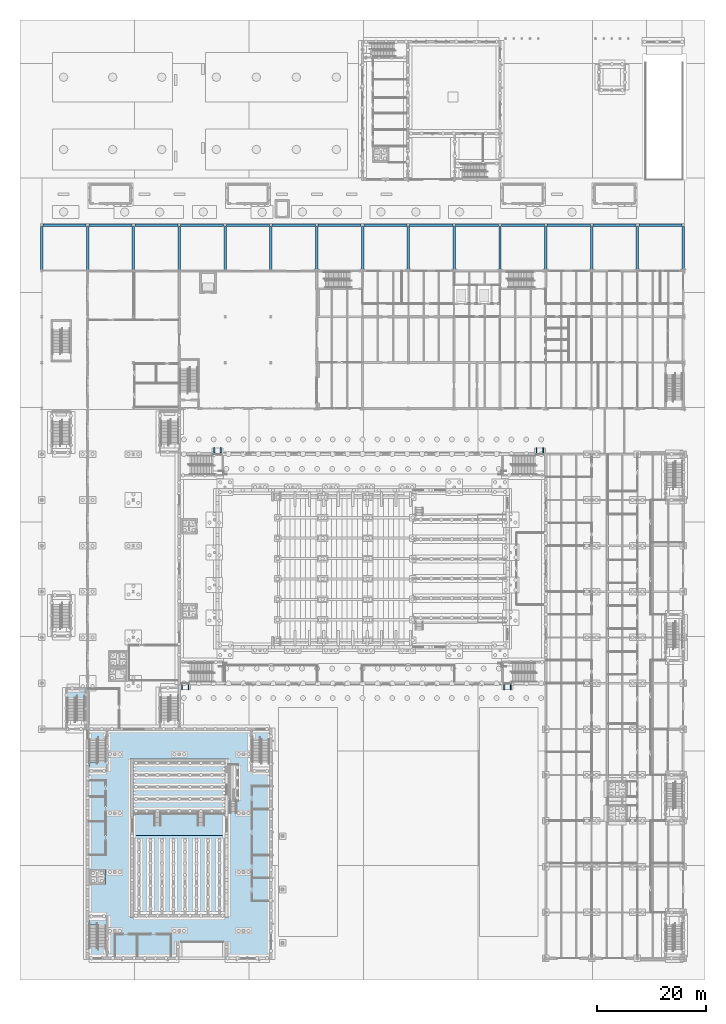
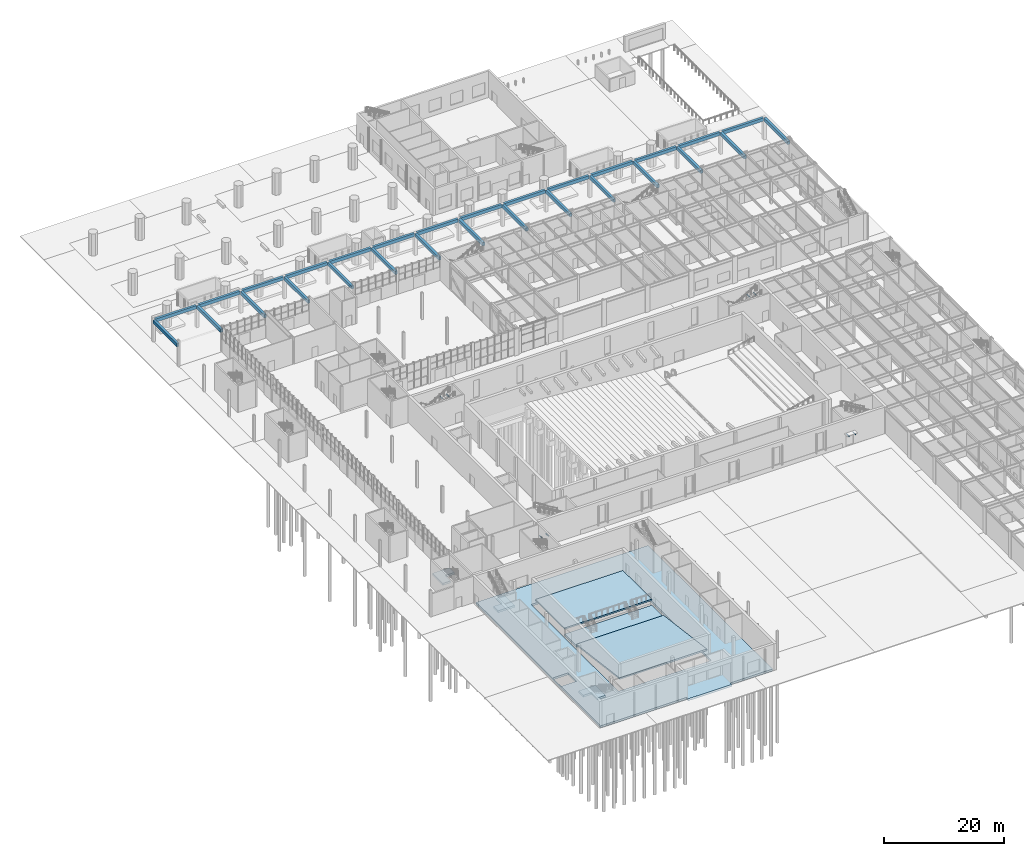
# One storey, part 46 of 127: 37 beams, 7 slabs, 3 elements without a shape of their own.
"""IFC4 building model written with IfcOpenShell, lengths in metres."""

from ifc_helpers import new_model, si_unit, direction, frame, origin, origin_2d, place, context, subcontext, project, spatial, polyline, rectangle, hollow_rectangle, outline, extrude, material, layer, layer_set, material_profile, profile_set, type_object, element, aggregate, save


model = new_model("IFC4")

# Units and contexts
model_context = context("Model", 3, precision=1e-05, world=origin(), true_north=direction((0.0, 1.0)))
body_context = subcontext(model_context, "Body", "Model", "MODEL_VIEW")
ifc_project = project(units=[si_unit("LENGTHUNIT", "METRE"), si_unit("AREAUNIT", "SQUARE_METRE"), si_unit("VOLUMEUNIT", "CUBIC_METRE"), si_unit("PLANEANGLEUNIT", "RADIAN"), si_unit("MASSUNIT", "GRAM", prefix="KILO")], contexts=[model_context])

# Site, building, storey
site_placement = place(None, origin())
site = spatial("IfcSite", under=ifc_project, at=site_placement, CompositionType="ELEMENT")
building_placement = place(site_placement, origin())
building = spatial("IfcBuilding", under=site, at=building_placement, Name="Ljudholm Concert House", CompositionType="ELEMENT")
storey_placement = place(building_placement, origin())
storey = spatial("IfcBuildingStorey", under=building, at=storey_placement, Name="L00", CompositionType="ELEMENT", Elevation=0.0)

# Beams
ifc_material_1 = material(Name="Concrete 6,500 psi", Category="concrete")
ifc_material_profile_1 = material_profile(ifc_material_1, rectangle(XDim=0.449951171875, YDim=0.64990234375, at=origin_2d()), Name="RC BEAM 450x650 BEAM")
ifc_profile_set_1 = profile_set([ifc_material_profile_1], Name="Concrete 6,500 psi")
beam_type_1 = type_object("IfcBeamType", Name="RC BEAM 450x650 BEAM", PredefinedType="BEAM", material=ifc_profile_set_1)
for number, where, z_axis, x_axis, name in (
    (1, (4.0, 138.14990234375, 4.175048828125), (0.0, -1.0, 0.0), (1.0, 0.0, 0.0), "Arcade cross beam"),
    (2, (12.39990234375, 138.14990234375, 4.175048828125), (0.0, -1.0, 0.0), (1.0, 0.0, 0.0), "Arcade cross beam"),
    (3, (20.800048828125, 138.14990234375, 4.175048828125), (0.0, -1.0, 0.0), (1.0, 0.0, 0.0), "Arcade cross beam"),
    (4, (29.199951171875, 138.14990234375, 4.175048828125), (0.0, -1.0, 0.0), (1.0, 0.0, 0.0), "Arcade cross beam"),
    (5, (37.60009765625, 138.14990234375, 4.175048828125), (0.0, -1.0, 0.0), (1.0, 0.0, 0.0), "Arcade cross beam"),
    (6, (46.0, 138.14990234375, 4.175048828125), (0.0, -1.0, 0.0), (1.0, 0.0, 0.0), "Arcade cross beam"),
):
    element("IfcBeam", number, at=place(storey_placement, frame(where, z_axis=z_axis, x_axis=x_axis)), inside=storey, type_object=beam_type_1, Name=name, PredefinedType="BEAM", context=body_context, shape_type="SweptSolid", body=[
        extrude(rectangle(XDim=0.449951171875, YDim=0.64990234375, at=origin_2d()), origin(), (0.0, 0.0, 1.0), 7.963134765625),
    ])
for number, where, z_axis, x_axis, name in (
    (7, (54.39990234375, 138.14990234375, 4.175048828125), (0.0, -1.0, 0.0), (1.0, 0.0, 0.0), "Arcade cross beam"),
    (8, (62.800048828125, 138.14990234375, 4.175048828125), (0.0, -1.0, 0.0), (1.0, 0.0, 0.0), "Arcade cross beam"),
):
    element("IfcBeam", number, at=place(storey_placement, frame(where, z_axis=z_axis, x_axis=x_axis)), inside=storey, type_object=beam_type_1, Name=name, PredefinedType="BEAM", context=body_context, shape_type="SweptSolid", body=[
        extrude(rectangle(XDim=0.449951171875, YDim=0.64990234375, at=origin_2d()), origin(), (0.0, 0.0, 1.0), 8.0),
    ])
for number, where, z_axis, x_axis, name in (
    (9, (71.199951171875, 138.14990234375, 4.175048828125), (0.0, -1.0, 0.0), (1.0, 0.0, 0.0), "Arcade cross beam"),
    (10, (79.60009765625, 138.14990234375, 4.175048828125), (0.0, -1.0, 0.0), (1.0, 0.0, 0.0), "Arcade cross beam"),
):
    element("IfcBeam", number, at=place(storey_placement, frame(where, z_axis=z_axis, x_axis=x_axis)), inside=storey, type_object=beam_type_1, Name=name, PredefinedType="BEAM", context=body_context, shape_type="SweptSolid", body=[
        extrude(rectangle(XDim=0.449951171875, YDim=0.64990234375, at=origin_2d()), origin(), (0.0, 0.0, 1.0), 7.963134765625),
    ])
for number, where, z_axis, x_axis, name in (
    (11, (88.0, 138.14990234375, 4.175048828125), (0.0, -1.0, 0.0), (1.0, 0.0, 0.0), "Arcade cross beam"),
    (12, (96.39990234375, 138.14990234375, 4.175048828125), (0.0, -1.0, 0.0), (1.0, 0.0, 0.0), "Arcade cross beam"),
):
    element("IfcBeam", number, at=place(storey_placement, frame(where, z_axis=z_axis, x_axis=x_axis)), inside=storey, type_object=beam_type_1, Name=name, PredefinedType="BEAM", context=body_context, shape_type="SweptSolid", body=[
        extrude(rectangle(XDim=0.449951171875, YDim=0.64990234375, at=origin_2d()), origin(), (0.0, 0.0, 1.0), 8.0),
    ])
for number, where, z_axis, x_axis, name in (
    (13, (104.800048828125, 138.14990234375, 4.175048828125), (0.0, -1.0, 0.0), (1.0, 0.0, 0.0), "Arcade cross beam"),
    (14, (113.199951171875, 138.14990234375, 4.175048828125), (0.0, -1.0, 0.0), (1.0, 0.0, 0.0), "Arcade cross beam"),
    (15, (121.60009765625, 138.14990234375, 4.175048828125), (0.0, -1.0, 0.0), (1.0, 0.0, 0.0), "Arcade cross beam"),
):
    element("IfcBeam", number, at=place(storey_placement, frame(where, z_axis=z_axis, x_axis=x_axis)), inside=storey, type_object=beam_type_1, Name=name, PredefinedType="BEAM", context=body_context, shape_type="SweptSolid", body=[
        extrude(rectangle(XDim=0.449951171875, YDim=0.64990234375, at=origin_2d()), origin(), (0.0, 0.0, 1.0), 7.963134765625),
    ])
beam_1_placement = place(storey_placement, frame((4.25, 138.39990234375, 4.175048828125), z_axis=(1.0, 0.0, 0.0), x_axis=(0.0, 1.0, 0.0)))
element("IfcBeam", 16, at=beam_1_placement, inside=storey, type_object=beam_type_1, Name="Arcade edge beam", PredefinedType="BEAM", context=body_context, shape_type="SweptSolid", body=[
    extrude(rectangle(XDim=0.449951171875, YDim=0.64990234375, at=origin_2d()), origin(), (0.0, 0.0, 1.0), 7.89990234375),
])
beam_2_placement = place(storey_placement, frame((12.64990234375, 138.39990234375, 4.175048828125), z_axis=(1.0, 0.0, 0.0), x_axis=(0.0, 1.0, 0.0)))
element("IfcBeam", 17, at=beam_2_placement, inside=storey, type_object=beam_type_1, Name="Arcade edge beam", PredefinedType="BEAM", context=body_context, shape_type="SweptSolid", body=[
    extrude(rectangle(XDim=0.449951171875, YDim=0.64990234375, at=origin_2d()), origin(), (0.0, 0.0, 1.0), 7.900146484375),
])
beam_3_placement = place(storey_placement, frame((21.050048828125, 138.39990234375, 4.175048828125), z_axis=(1.0, 0.0, 0.0), x_axis=(0.0, 1.0, 0.0)))
element("IfcBeam", 18, at=beam_3_placement, inside=storey, type_object=beam_type_1, Name="Arcade edge beam", PredefinedType="BEAM", context=body_context, shape_type="SweptSolid", body=[
    extrude(rectangle(XDim=0.449951171875, YDim=0.64990234375, at=origin_2d()), origin(), (0.0, 0.0, 1.0), 7.89990234375),
])
beam_4_placement = place(storey_placement, frame((29.449951171875, 138.39990234375, 4.175048828125), z_axis=(1.0, 0.0, 0.0), x_axis=(0.0, 1.0, 0.0)))
element("IfcBeam", 19, at=beam_4_placement, inside=storey, type_object=beam_type_1, Name="Arcade edge beam", PredefinedType="BEAM", context=body_context, shape_type="SweptSolid", body=[
    extrude(rectangle(XDim=0.449951171875, YDim=0.64990234375, at=origin_2d()), origin(), (0.0, 0.0, 1.0), 7.900146484375),
])
for number, where, z_axis, x_axis, name in (
    (20, (37.85009765625, 138.39990234375, 4.175048828125), (1.0, 0.0, 0.0), (0.0, 1.0, 0.0), "Arcade edge beam"),
    (21, (46.25, 138.39990234375, 4.175048828125), (1.0, 0.0, 0.0), (0.0, 1.0, 0.0), "Arcade edge beam"),
):
    element("IfcBeam", number, at=place(storey_placement, frame(where, z_axis=z_axis, x_axis=x_axis)), inside=storey, type_object=beam_type_1, Name=name, PredefinedType="BEAM", context=body_context, shape_type="SweptSolid", body=[
        extrude(rectangle(XDim=0.449951171875, YDim=0.64990234375, at=origin_2d()), origin(), (0.0, 0.0, 1.0), 7.89990234375),
    ])
beam_5_placement = place(storey_placement, frame((54.64990234375, 138.39990234375, 4.175048828125), z_axis=(1.0, 0.0, 0.0), x_axis=(0.0, 1.0, 0.0)))
element("IfcBeam", 22, at=beam_5_placement, inside=storey, type_object=beam_type_1, Name="Arcade edge beam", PredefinedType="BEAM", context=body_context, shape_type="SweptSolid", body=[
    extrude(rectangle(XDim=0.449951171875, YDim=0.64990234375, at=origin_2d()), origin(), (0.0, 0.0, 1.0), 7.900146484375),
])
beam_6_placement = place(storey_placement, frame((63.050048828125, 138.39990234375, 4.175048828125), z_axis=(1.0, 0.0, 0.0), x_axis=(0.0, 1.0, 0.0)))
element("IfcBeam", 23, at=beam_6_placement, inside=storey, type_object=beam_type_1, Name="Arcade edge beam", PredefinedType="BEAM", context=body_context, shape_type="SweptSolid", body=[
    extrude(rectangle(XDim=0.449951171875, YDim=0.64990234375, at=origin_2d()), origin(), (0.0, 0.0, 1.0), 7.89990234375),
])
beam_7_placement = place(storey_placement, frame((71.449951171875, 138.39990234375, 4.175048828125), z_axis=(1.0, 0.0, 0.0), x_axis=(0.0, 1.0, 0.0)))
element("IfcBeam", 24, at=beam_7_placement, inside=storey, type_object=beam_type_1, Name="Arcade edge beam", PredefinedType="BEAM", context=body_context, shape_type="SweptSolid", body=[
    extrude(rectangle(XDim=0.449951171875, YDim=0.64990234375, at=origin_2d()), origin(), (0.0, 0.0, 1.0), 7.900146484375),
])
for number, where, z_axis, x_axis, name in (
    (25, (79.85009765625, 138.39990234375, 4.175048828125), (1.0, 0.0, 0.0), (0.0, 1.0, 0.0), "Arcade edge beam"),
    (26, (88.25, 138.39990234375, 4.175048828125), (1.0, 0.0, 0.0), (0.0, 1.0, 0.0), "Arcade edge beam"),
):
    element("IfcBeam", number, at=place(storey_placement, frame(where, z_axis=z_axis, x_axis=x_axis)), inside=storey, type_object=beam_type_1, Name=name, PredefinedType="BEAM", context=body_context, shape_type="SweptSolid", body=[
        extrude(rectangle(XDim=0.449951171875, YDim=0.64990234375, at=origin_2d()), origin(), (0.0, 0.0, 1.0), 7.89990234375),
    ])
beam_8_placement = place(storey_placement, frame((96.64990234375, 138.39990234375, 4.175048828125), z_axis=(1.0, 0.0, 0.0), x_axis=(0.0, 1.0, 0.0)))
element("IfcBeam", 27, at=beam_8_placement, inside=storey, type_object=beam_type_1, Name="Arcade edge beam", PredefinedType="BEAM", context=body_context, shape_type="SweptSolid", body=[
    extrude(rectangle(XDim=0.449951171875, YDim=0.64990234375, at=origin_2d()), origin(), (0.0, 0.0, 1.0), 7.900146484375),
])
beam_9_placement = place(storey_placement, frame((105.050048828125, 138.39990234375, 4.175048828125), z_axis=(1.0, 0.0, 0.0), x_axis=(0.0, 1.0, 0.0)))
element("IfcBeam", 28, at=beam_9_placement, inside=storey, type_object=beam_type_1, Name="Arcade edge beam", PredefinedType="BEAM", context=body_context, shape_type="SweptSolid", body=[
    extrude(rectangle(XDim=0.449951171875, YDim=0.64990234375, at=origin_2d()), origin(), (0.0, 0.0, 1.0), 7.89990234375),
])
beam_10_placement = place(storey_placement, frame((113.449951171875, 138.39990234375, 4.175048828125), z_axis=(1.0, 0.0, 0.0), x_axis=(0.0, 1.0, 0.0)))
element("IfcBeam", 29, at=beam_10_placement, inside=storey, type_object=beam_type_1, Name="Arcade edge beam", PredefinedType="BEAM", context=body_context, shape_type="SweptSolid", body=[
    extrude(rectangle(XDim=0.449951171875, YDim=0.64990234375, at=origin_2d()), origin(), (0.0, 0.0, 1.0), 7.900146484375),
])
ifc_material_2 = material(Name="Steel ASTM A500 Gr. C", Category="steel")
ifc_material_profile_2 = material_profile(ifc_material_2, hollow_rectangle(XDim=0.15234375, YDim=0.15234375, WallThickness=0.005859375, InnerFilletRadius=0.0029296875, OuterFilletRadius=0.0087890625, at=origin_2d()), Name="HSS6X6X1/4")
ifc_profile_set_2 = profile_set([ifc_material_profile_2], Name="Steel ASTM A500 Gr. C")
beam_type_2 = type_object("IfcBeamType", Name="STEEL BEAM HSS6X6X1/4 BEAM", PredefinedType="BEAM", material=ifc_profile_set_2)
for number, where, z_axis, x_axis, name in (
    (30, (29.699951171875, 53.25, 2.52392578125), (0.0, 1.0, 0.0), (-1.0, 0.0, 0.0), "Canopy bracket"),
    (31, (30.89990234375, 53.25, 2.52392578125), (0.0, 1.0, 0.0), (-1.0, 0.0, 0.0), "Canopy bracket"),
):
    element("IfcBeam", number, at=place(storey_placement, frame(where, z_axis=z_axis, x_axis=x_axis)), inside=storey, type_object=beam_type_2, Name=name, PredefinedType="BEAM", context=body_context, shape_type="SweptSolid", body=[
        extrude(hollow_rectangle(XDim=0.15234375, YDim=0.15234375, WallThickness=0.005859375, InnerFilletRadius=0.0029296875, OuterFilletRadius=0.0087890625, at=origin_2d()), origin(), (0.0, 0.0, 1.0), 0.89990234375),
    ])
for number, where, z_axis, x_axis, name in (
    (32, (35.60009765625, 96.64990234375, 2.52392578125), (0.0, 1.0, 0.0), (-1.0, 0.0, 0.0), "Canopy bracket"),
    (33, (36.800048828125, 96.64990234375, 2.52392578125), (0.0, 1.0, 0.0), (-1.0, 0.0, 0.0), "Canopy bracket"),
):
    element("IfcBeam", number, at=place(storey_placement, frame(where, z_axis=z_axis, x_axis=x_axis)), inside=storey, type_object=beam_type_2, Name=name, PredefinedType="BEAM", context=body_context, shape_type="SweptSolid", body=[
        extrude(hollow_rectangle(XDim=0.15234375, YDim=0.15234375, WallThickness=0.005859375, InnerFilletRadius=0.0029296875, OuterFilletRadius=0.0087890625, at=origin_2d()), origin(), (0.0, 0.0, 1.0), 0.900146484375),
    ])
for number, where, z_axis, x_axis, name in (
    (34, (88.800048828125, 53.25, 2.52392578125), (0.0, 1.0, 0.0), (-1.0, 0.0, 0.0), "Canopy bracket"),
    (35, (90.0, 53.25, 2.52392578125), (0.0, 1.0, 0.0), (-1.0, 0.0, 0.0), "Canopy bracket"),
):
    element("IfcBeam", number, at=place(storey_placement, frame(where, z_axis=z_axis, x_axis=x_axis)), inside=storey, type_object=beam_type_2, Name=name, PredefinedType="BEAM", context=body_context, shape_type="SweptSolid", body=[
        extrude(hollow_rectangle(XDim=0.15234375, YDim=0.15234375, WallThickness=0.005859375, InnerFilletRadius=0.0029296875, OuterFilletRadius=0.0087890625, at=origin_2d()), origin(), (0.0, 0.0, 1.0), 0.89990234375),
    ])
for number, where, z_axis, x_axis, name in (
    (36, (94.699951171875, 96.64990234375, 2.52392578125), (0.0, 1.0, 0.0), (-1.0, 0.0, 0.0), "Canopy bracket"),
    (37, (95.89990234375, 96.64990234375, 2.52392578125), (0.0, 1.0, 0.0), (-1.0, 0.0, 0.0), "Canopy bracket"),
):
    element("IfcBeam", number, at=place(storey_placement, frame(where, z_axis=z_axis, x_axis=x_axis)), inside=storey, type_object=beam_type_2, Name=name, PredefinedType="BEAM", context=body_context, shape_type="SweptSolid", body=[
        extrude(hollow_rectangle(XDim=0.15234375, YDim=0.15234375, WallThickness=0.005859375, InnerFilletRadius=0.0029296875, OuterFilletRadius=0.0087890625, at=origin_2d()), origin(), (0.0, 0.0, 1.0), 0.900146484375),
    ])

# Slabs
ifc_material_3 = material(Name="Concrete 5,000 psi", Category="concrete")
ifc_layer_1 = layer(ifc_material_3, 0.300048828125)
ifc_layer_set_1 = layer_set([ifc_layer_1], Name="Concrete 5,000 psi")
slab_type_1 = type_object("IfcSlabType", Name="RAKED TIER SLAB 300", PredefinedType="USERDEFINED", material=ifc_layer_set_1)
slab_1_placement = place(storey_placement, frame((20.800048828125, 26.5, 0.302490234375), z_axis=(0.0, 0.128910122636, 0.99165628132), x_axis=(1.0, 0.0, 0.0)))
element("IfcSlab", 38, at=slab_1_placement, inside=storey, type_object=slab_type_1, Name="Stand Stalls 1", ObjectType="SEATING TIER", PredefinedType="USERDEFINED", context=body_context, shape_type="SweptSolid", body=[
    extrude(outline(polyline([(0.0, 0.0), (16.800048828125, 0.0), (16.800048828125, -14.57153193507445), (0.0, -14.57153193507445), (0.0, 0.0)])), origin(), (0.0, 0.0, -1.0), 0.300048828125),
])
ifc_material_4 = material(Name="Concrete 5,000 psi", Category="concrete")
ifc_layer_2 = layer(ifc_material_4, 0.409912109375)
ifc_layer_set_2 = layer_set([ifc_layer_2], Name="Concrete 5,000 psi")
slab_type_2 = type_object("IfcSlabType", Name="RC BASE SLAB 410", PredefinedType="BASESLAB", material=ifc_layer_set_2)
slab_2_placement = place(storey_placement, frame((0.0, 0.0, -0.409912109375)))
element("IfcSlab", 39, at=slab_2_placement, inside=storey, type_object=slab_type_2, Name="Ground slab of the ring", PredefinedType="BASESLAB", context=body_context, shape_type="SweptSolid", body=[
    extrude(outline(polyline([(12.64990234375, 45.75), (45.75, 45.75), (45.75, 4.25), (37.60009765625, 4.25), (37.60009765625, 3.75), (29.199951171875, 3.75), (29.199951171875, 4.25), (12.64990234375, 4.25), (12.64990234375, 45.75)]), holes=[polyline([(15.675048828125, 20.300048828125), (12.72509765625, 20.300048828125), (12.72509765625, 17.5), (15.675048828125, 17.5), (15.675048828125, 20.300048828125)]), polyline([(38.14990234375, 40.60009765625), (20.25, 40.60009765625), (20.25, 11.5), (38.14990234375, 11.5), (38.14990234375, 40.60009765625)])]), origin(), (0.0, 0.0, 1.0), 0.409912109375),
])
ifc_material_5 = material(Name="Concrete 5,000 psi", Category="concrete")
ifc_layer_3 = layer(ifc_material_5, 0.300048828125)
ifc_layer_set_3 = layer_set([ifc_layer_3], Name="Concrete 5,000 psi")
slab_type_3 = type_object("IfcSlabType", Name="RC FLOOR SLAB 300", PredefinedType="FLOOR", material=ifc_layer_set_3)
slab_3_placement = place(storey_placement, frame((0.0, 0.0, 0.89990234375)))
element("IfcSlab", 40, at=slab_3_placement, inside=storey, type_object=slab_type_3, Name="Chamber hall platform", PredefinedType="FLOOR", context=body_context, shape_type="SweptSolid", body=[
    extrude(outline(polyline([(20.800048828125, 30.39990234375), (37.60009765625, 30.39990234375), (37.60009765625, 40.050048828125), (20.800048828125, 40.050048828125), (20.800048828125, 30.39990234375)])), origin(), (0.0, 0.0, 1.0), 0.300048828125),
])
ifc_material_6 = material(Name="Concrete 5,000 psi", Category="concrete")
ifc_layer_4 = layer(ifc_material_6, 0.409912109375)
ifc_layer_set_4 = layer_set([ifc_layer_4], Name="Concrete 5,000 psi")
slab_type_4 = type_object("IfcSlabType", Name="RC FLOOR SLAB 410", PredefinedType="FLOOR", material=ifc_layer_set_4)
slab_4_placement = place(storey_placement, frame((0.0, 0.0, -0.409912109375)))
element("IfcSlab", 41, at=slab_4_placement, inside=storey, type_object=slab_type_4, Name="Apron floor", PredefinedType="FLOOR", context=body_context, shape_type="SweptSolid", body=[
    extrude(outline(polyline([(20.800048828125, 26.5), (37.60009765625, 26.5), (37.60009765625, 30.39990234375), (20.800048828125, 30.39990234375), (20.800048828125, 26.5)])), origin(), (0.0, 0.0, 1.0), 0.409912109375),
])

# Stair, slab
ifc_material_7 = material(Name="Concrete 5,000 psi", Category="concrete")
stair_type = type_object("IfcStairType", Name="RC STAIR 1500x169x280", PredefinedType="HALF_TURN_STAIR", material=ifc_material_7)
stair_1_placement = place(storey_placement, origin())
stair_1 = element("IfcStair", 42, at=stair_1_placement, inside=storey, type_object=stair_type, Name="Exit stair EC1", PredefinedType="HALF_TURN_STAIR")
ifc_material_8 = material(Name="Concrete 5,000 psi", Category="concrete")
ifc_layer_5 = layer(ifc_material_8, 0.409912109375)
ifc_layer_set_5 = layer_set([ifc_layer_5], Name="Concrete 5,000 psi")
slab_type_5 = type_object("IfcSlabType", Name="RC LANDING 410", PredefinedType="LANDING", material=ifc_layer_set_5)
slab_5_placement = place(storey_placement, frame((0.0, 0.0, 2.2900390625)))
slab_5 = element("IfcSlab", 43, at=slab_5_placement, type_object=slab_type_5, Name="Stair landing", PredefinedType="LANDING", context=body_context, shape_type="SweptSolid", body=[
    extrude(outline(polyline([(15.85009765625, 11.570068359375), (12.64990234375, 11.570068359375), (12.64990234375, 10.049560546875), (14.300048828125, 10.049560546875), (14.300048828125, 8.219970703125), (15.85009765625, 8.219970703125), (15.85009765625, 11.570068359375)])), origin(), (0.0, 0.0, 1.0), 0.409912109375),
])
aggregate(stair_1, [slab_5])

stair_2_placement = place(storey_placement, origin())
stair_2 = element("IfcStair", 44, at=stair_2_placement, inside=storey, type_object=stair_type, Name="Exit stair EC2", PredefinedType="HALF_TURN_STAIR")
slab_6_placement = place(storey_placement, frame((0.0, 0.0, 2.2900390625)))
slab_6 = element("IfcSlab", 45, at=slab_6_placement, type_object=slab_type_5, Name="Stair landing", PredefinedType="LANDING", context=body_context, shape_type="SweptSolid", body=[
    extrude(outline(polyline([(15.85009765625, 41.780029296875), (14.300048828125, 41.780029296875), (14.300048828125, 39.950439453125), (12.64990234375, 39.950439453125), (12.64990234375, 38.429931640625), (15.85009765625, 38.429931640625), (15.85009765625, 41.780029296875)])), origin(), (0.0, 0.0, 1.0), 0.409912109375),
])
aggregate(stair_2, [slab_6])

stair_3_placement = place(storey_placement, origin())
stair_3 = element("IfcStair", 46, at=stair_3_placement, inside=storey, type_object=stair_type, Name="Stair", PredefinedType="HALF_TURN_STAIR")
slab_7_placement = place(storey_placement, frame((0.0, 0.0, 2.2900390625)))
slab_7 = element("IfcSlab", 47, at=slab_7_placement, type_object=slab_type_5, Name="Stair landing", PredefinedType="LANDING", context=body_context, shape_type="SweptSolid", body=[
    extrude(outline(polyline([(8.64990234375, 49.919921875), (10.14990234375, 49.919921875), (10.14990234375, 51.74951171875), (11.89990234375, 51.74951171875), (11.89990234375, 53.35009765625), (8.64990234375, 53.35009765625), (8.64990234375, 49.919921875)])), origin(), (0.0, 0.0, 1.0), 0.409912109375),
])
aggregate(stair_3, [slab_7])

save(model, "model.ifc")
